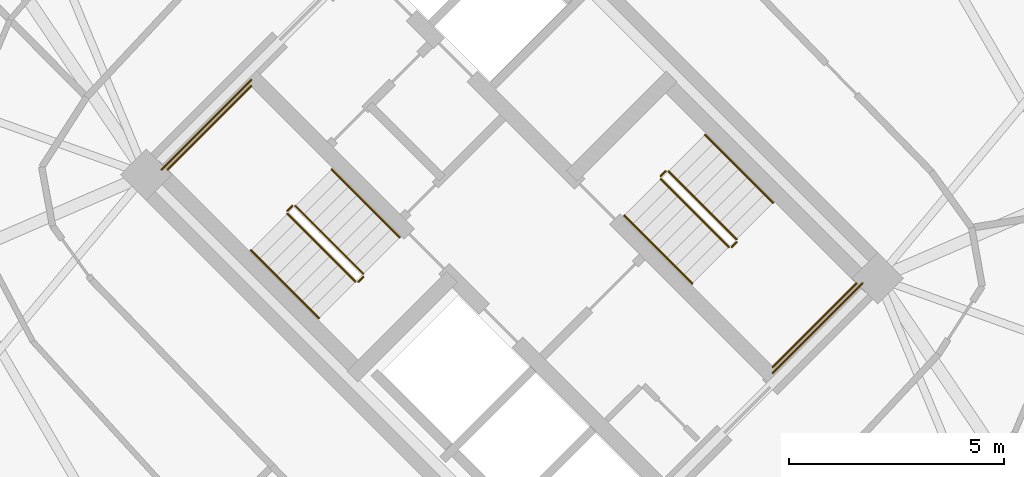
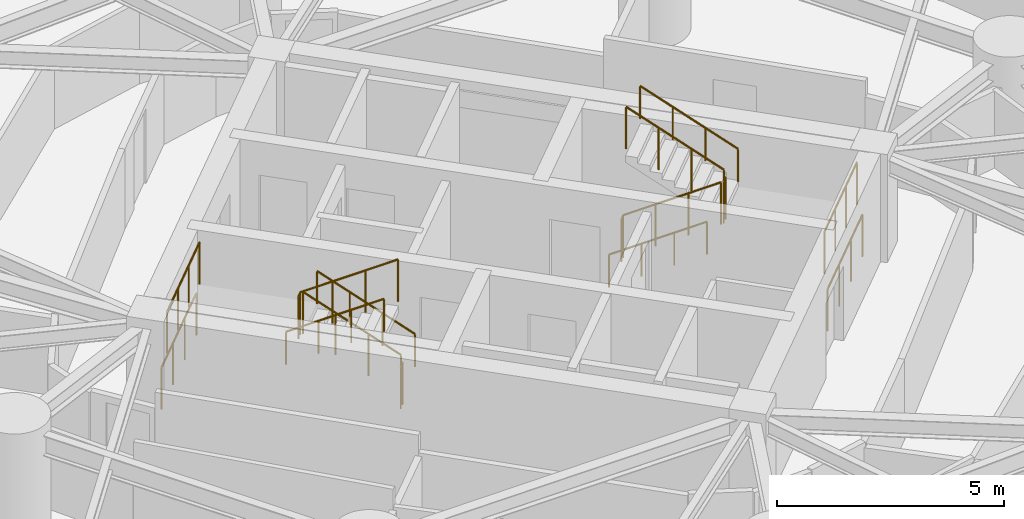
# One storey, part 16 of 17: 16 railings.
"""IFC4 building model written with IfcOpenShell, lengths in metres."""

import ifcopenshell
import ifcopenshell.guid

model = None  # the IFC model being written
_history = None  # IfcOwnerHistory: only IFC2X3 demands one
_inside = {}  # id of a spatial element -> (the spatial element, [elements in it])
_under = {}  # id of a project, library or spatial element -> (it, [spatial elements below it])
_declared = {}  # id of a project -> (the project, [libraries it declares])
_typed = {}  # id of a type object -> (the type object, [elements of that type])
_made_of = {}  # id of a material, layer set ... -> (it, [elements and type objects made of it])


def new_model(schema):
    """Start an empty IFC model of exactly this schema.

    Asked for "IFC4X3", IfcOpenShell would pick the latest addendum, in which some entities
    have other attributes; the version numbers below select the first issue.
    IFC2X3 requires an IfcOwnerHistory on every rooted entity: one is made here for all.
    """
    global model, _history
    if schema == "IFC4X3":
        model = ifcopenshell.file(schema_version=(4, 3, 0, 0))
    else:
        model = ifcopenshell.file(schema=schema)
    _inside.clear()
    _under.clear()
    _declared.clear()
    _typed.clear()
    _made_of.clear()
    _history = None
    if model.schema == "IFC2X3":
        org = make("IfcOrganization", Name="unknown")
        user = make(
            "IfcPersonAndOrganization",
            ThePerson=make("IfcPerson", FamilyName="unknown"),
            TheOrganization=org,
        )
        app = make(
            "IfcApplication",
            ApplicationDeveloper=org,
            Version="unknown",
            ApplicationFullName="unknown",
            ApplicationIdentifier="unknown",
        )
        _history = make(
            "IfcOwnerHistory",
            OwningUser=user,
            OwningApplication=app,
            ChangeAction="ADDED",
            CreationDate=0,
        )
    return model


def make(cls, **values):
    """One entity of the class cls with the attributes given. An attribute that is None is left unset."""
    return model.create_entity(
        cls, **{name: value for name, value in values.items() if value is not None}
    )


def rooted(cls, **values):
    """An entity with a GlobalId (a new one), such as an element, a storey or a relation."""
    return make(cls, GlobalId=ifcopenshell.guid.new(), OwnerHistory=_history, **values)


def si_unit(unit_type, name, prefix=None):
    """IfcSIUnit, for example si_unit("LENGTHUNIT", "METRE", prefix="MILLI")."""
    return make("IfcSIUnit", UnitType=unit_type, Prefix=prefix, Name=name)


def assignment(units):
    """IfcUnitAssignment: the units of a project."""
    return None if units is None else make("IfcUnitAssignment", Units=units)


def point(xyz):
    """IfcCartesianPoint."""
    return None if xyz is None else make("IfcCartesianPoint", Coordinates=xyz)


def direction(xyz):
    """IfcDirection."""
    return None if xyz is None else make("IfcDirection", DirectionRatios=xyz)


def frame(location, z_axis=None, x_axis=None):
    """IfcAxis2Placement3D, a coordinate frame: its origin and axes. An axis left out is left unset."""
    return make(
        "IfcAxis2Placement3D",
        Location=point(location),
        Axis=direction(z_axis),
        RefDirection=direction(x_axis),
    )


def frame_2d(location, x_axis=None):
    """IfcAxis2Placement2D, a coordinate frame in the plane: its origin and x axis."""
    return make(
        "IfcAxis2Placement2D", Location=point(location), RefDirection=direction(x_axis)
    )


def origin():
    """The frame at (0, 0, 0) with its axes left unset."""
    return frame((0.0, 0.0, 0.0))


def origin_2d():
    """The frame at (0, 0) in the plane with its x axis left unset."""
    return frame_2d((0.0, 0.0))


def place(relative_to, where):
    """IfcLocalPlacement: puts the frame where relative to a parent placement (None: the world)."""
    return make(
        "IfcLocalPlacement", PlacementRelTo=relative_to, RelativePlacement=where
    )


def context(
    kind, dimensions, precision=None, world=None, true_north=None, identifier=None
):
    """IfcGeometricRepresentationContext, for example the 3D "Model" context."""
    return make(
        "IfcGeometricRepresentationContext",
        ContextIdentifier=identifier,
        ContextType=kind,
        CoordinateSpaceDimension=dimensions,
        Precision=precision,
        WorldCoordinateSystem=world,
        TrueNorth=true_north,
    )


def subcontext(parent, identifier, kind, view, scale=None):
    """IfcGeometricRepresentationSubContext, for example "Body" below "Model"."""
    return make(
        "IfcGeometricRepresentationSubContext",
        ContextIdentifier=identifier,
        ContextType=kind,
        ParentContext=parent,
        TargetScale=scale,
        TargetView=view,
    )


def project(units=None, contexts=None):
    """IfcProject with its units and contexts."""
    return rooted(
        "IfcProject",
        Name="project",
        RepresentationContexts=contexts,
        UnitsInContext=assignment(units),
    )


def spatial(cls, under=None, at=None, **own):
    """A site, building, storey or space (cls), placed at a placement, below another one or the project."""
    s = rooted(cls, ObjectPlacement=at, **own)
    if under is not None:
        _under.setdefault(under.id(), (under, []))[1].append(s)
    return s


def profile(cls, at=None, kind="AREA", **sizes):
    """A parametric profile (cls). Its sizes go by their IFC names, for example OverallWidth=200.0."""
    return make(cls, ProfileType=kind, Position=at, **sizes)


def circle(**sizes):
    """IfcCircleProfileDef."""
    return profile("IfcCircleProfileDef", **sizes)


def extrude(swept, where, along, depth):
    """IfcExtrudedAreaSolid: the profile swept, set in the frame where, extruded along a direction by depth."""
    return make(
        "IfcExtrudedAreaSolid",
        SweptArea=swept,
        Position=where,
        ExtrudedDirection=direction(along),
        Depth=depth,
    )


def shape(context_of_items, identifier, shape_type, items):
    """IfcShapeRepresentation: the items that make up one representation, for example the "Body"."""
    return make(
        "IfcShapeRepresentation",
        ContextOfItems=context_of_items,
        RepresentationIdentifier=identifier,
        RepresentationType=shape_type,
        Items=items,
    )


def material(Name=None, Category=None):
    """IfcMaterial."""
    return make("IfcMaterial", Name=Name, Category=Category)


def made_of(thing, what):
    """Note that an element or type object is made of a material, layer set ...; save() writes the relation."""
    if what is not None:
        _made_of.setdefault(what.id(), (what, []))[1].append(thing)
    return thing


def type_object(cls, material=None, **own):
    """A type object (cls), such as IfcWallType, which elements share."""
    return made_of(rooted(cls, **own), material)


def element(
    cls,
    number,
    at=None,
    inside=None,
    cuts=None,
    type_object=None,
    material=None,
    context=None,
    identifier="Body",
    shape_type=None,
    held_by="IfcProductDefinitionShape",
    body=None,
    shapes=None,
    **own,
):
    """One element of the class cls, such as IfcWall. Its Tag is "e" and its number.

    at: its placement. inside: the storey or other place that contains it. cuts: it is an
    opening in that element (IfcRelVoidsElement). A single representation is given by context,
    identifier, shape_type and body (its items); several are given by shapes. held_by: the class
    of the entity that holds the representations. save() writes the other relations.
    """
    e = rooted(cls, Tag="e%d" % number, ObjectPlacement=at, **own)
    if body is not None:
        shapes = [shape(context, identifier, shape_type, body)]
    if shapes is not None:
        e.Representation = make(held_by, Representations=shapes)
    if inside is not None:
        _inside.setdefault(inside.id(), (inside, []))[1].append(e)
    if cuts is not None:
        rooted(
            "IfcRelVoidsElement", RelatingBuildingElement=cuts, RelatedOpeningElement=e
        )
    if type_object is not None:
        _typed.setdefault(type_object.id(), (type_object, []))[1].append(e)
    return made_of(e, material)


def aggregate(whole, parts):
    """IfcRelAggregates: a whole, such as a stair, and the parts it consists of."""
    return rooted("IfcRelAggregates", RelatingObject=whole, RelatedObjects=parts)


def save(model, path):
    """Write the relations noted so far, then the file.

    IfcRelAggregates (storeys below a building ...), IfcRelContainedInSpatialStructure (elements
    in a storey), IfcRelDefinesByType, IfcRelAssociatesMaterial and IfcRelDeclares: one each for
    every whole, place, type object, material and project.
    """
    for whole, parts in _under.values():
        aggregate(whole, parts)
    for where, things in _inside.values():
        rooted(
            "IfcRelContainedInSpatialStructure",
            RelatedElements=things,
            RelatingStructure=where,
        )
    for kind, things in _typed.values():
        rooted("IfcRelDefinesByType", RelatedObjects=things, RelatingType=kind)
    for what, things in _made_of.values():
        rooted("IfcRelAssociatesMaterial", RelatedObjects=things, RelatingMaterial=what)
    for by, libraries in _declared.values():
        rooted("IfcRelDeclares", RelatingContext=by, RelatedDefinitions=libraries)
    model.write(path)


model = new_model("IFC4")

# Units and contexts
model_context = context("Model", 3, precision=1e-05, world=origin(), true_north=direction((0.0, 1.0)))
body_context = subcontext(model_context, "Body", "Model", "MODEL_VIEW")
ifc_project = project(units=[si_unit("LENGTHUNIT", "METRE"), si_unit("AREAUNIT", "SQUARE_METRE"), si_unit("VOLUMEUNIT", "CUBIC_METRE"), si_unit("PLANEANGLEUNIT", "RADIAN"), si_unit("MASSUNIT", "GRAM", prefix="KILO")], contexts=[model_context])

# Site, building, storey
site_placement = place(None, origin())
site = spatial("IfcSite", under=ifc_project, at=site_placement, CompositionType="ELEMENT")
building_placement = place(site_placement, origin())
building = spatial("IfcBuilding", under=site, at=building_placement, Name="Cununo Teusaquillo Station Towers", CompositionType="ELEMENT")
storey_placement = place(building_placement, frame((0.0, 0.0, 59.830078125)))
storey = spatial("IfcBuildingStorey", under=building, at=storey_placement, Name="L18", CompositionType="ELEMENT", Elevation=59.830078125)

# Railings
ifc_material_1 = material(Name="Steel EN 10025-2 S355J2", Category="steel")
railing_type_1 = type_object("IfcRailingType", Name="RL-INT-GUARD", PredefinedType="GUARDRAIL", material=ifc_material_1)
railing_1_placement = place(storey_placement, frame((54.03515625, 23.39697265625, 0.16162109375)))
element("IfcRailing", 1, at=railing_1_placement, inside=storey, type_object=railing_type_1, Name="L18 ST-T2-1 stair guard 1", PredefinedType="GUARDRAIL", context=body_context, shape_type="SweptSolid", body=[
    extrude(circle(Radius=0.02392578125, at=origin_2d()), frame((0.0, 0.0, 1.1259765625), z_axis=(-0.612361259024, 0.612361259024, 0.500027376144), x_axis=(-0.707106781187, -0.707106781187, 0.0)), (0.0, 0.0, 1.0), 2.586181640625),
    extrude(circle(Radius=0.02099609375, at=origin_2d()), origin(), (0.0, 0.0, 1.0), 1.101806640625),
    extrude(circle(Radius=0.02099609375, at=origin_2d()), frame((-0.52783203125, 0.52783203125, 0.43115234375)), (0.0, 0.0, 1.0), 1.101806640625),
    extrude(circle(Radius=0.02099609375, at=origin_2d()), frame((-1.055908203125, 1.055908203125, 0.862060546875)), (0.0, 0.0, 1.0), 1.101806640625),
    extrude(circle(Radius=0.02099609375, at=origin_2d()), frame((-1.583740234375, 1.583740234375, 1.293212890625)), (0.0, 0.0, 1.0), 1.101806640625),
])
railing_2_placement = place(storey_placement, frame((52.380615234375, 24.980712890625, 1.454833984375)))
element("IfcRailing", 2, at=railing_2_placement, inside=storey, type_object=railing_type_1, Name="L18 ST-T2-1 stair guard 2", PredefinedType="GUARDRAIL", context=body_context, shape_type="SweptSolid", body=[
    extrude(circle(Radius=0.02392578125, at=origin_2d()), frame((0.0, 0.0, 1.1259765625), z_axis=(-0.7078691598, -0.706343579714, 0.0), x_axis=(0.706343579714, -0.7078691598, 0.0)), (0.0, 0.0, 1.0), 0.159912109375),
    extrude(circle(Radius=0.02099609375, at=origin_2d()), origin(), (0.0, 0.0, 1.0), 1.101806640625),
    extrude(circle(Radius=0.02099609375, at=origin_2d()), frame((-0.11328125, -0.113037109375, 0.0)), (0.0, 0.0, 1.0), 1.101806640625),
])
railing_3_placement = place(storey_placement, frame((51.426025390625, 27.77392578125, 1.454833984375)))
element("IfcRailing", 3, at=railing_3_placement, inside=storey, type_object=railing_type_1, Name="L18 ST-T2-1 stair guard 3", PredefinedType="GUARDRAIL", context=body_context, shape_type="SweptSolid", body=[
    extrude(circle(Radius=0.02392578125, at=origin_2d()), frame((0.0, 0.0, 1.1259765625), z_axis=(-0.707106781187, -0.707106781187, 0.0), x_axis=(0.707106781187, -0.707106781187, 0.0)), (0.0, 0.0, 1.0), 2.760009765625),
    extrude(circle(Radius=0.02099609375, at=origin_2d()), origin(), (0.0, 0.0, 1.0), 1.101806640625),
    extrude(circle(Radius=0.02099609375, at=origin_2d()), frame((-0.650634765625, -0.650634765625, 0.0)), (0.0, 0.0, 1.0), 1.101806640625),
    extrude(circle(Radius=0.02099609375, at=origin_2d()), frame((-1.301025390625, -1.301025390625, 0.0)), (0.0, 0.0, 1.0), 1.101806640625),
    extrude(circle(Radius=0.02099609375, at=origin_2d()), frame((-1.95166015625, -1.95166015625, 0.0)), (0.0, 0.0, 1.0), 1.101806640625),
])
railing_4_placement = place(storey_placement, frame((52.267333984375, 24.796875, 1.61669921875)))
element("IfcRailing", 4, at=railing_4_placement, inside=storey, type_object=railing_type_1, Name="L18 ST-T2-1 stair guard 4", PredefinedType="GUARDRAIL", context=body_context, shape_type="SweptSolid", body=[
    extrude(circle(Radius=0.02392578125, at=origin_2d()), frame((0.0, 0.0, 1.1259765625), z_axis=(0.612420254088, -0.612325861324, 0.499998471934), x_axis=(0.707052281454, 0.707161276719, 0.0)), (0.0, 0.0, 1.0), 2.58642578125),
    extrude(circle(Radius=0.02099609375, at=origin_2d()), origin(), (0.0, 0.0, 1.0), 1.101806640625),
    extrude(circle(Radius=0.02099609375, at=origin_2d()), frame((0.528076171875, -0.52783203125, 0.43115234375)), (0.0, 0.0, 1.0), 1.101806640625),
    extrude(circle(Radius=0.02099609375, at=origin_2d()), frame((1.055908203125, -1.055908203125, 0.862060546875)), (0.0, 0.0, 1.0), 1.101806640625),
    extrude(circle(Radius=0.02099609375, at=origin_2d()), frame((1.583984375, -1.583740234375, 1.293212890625)), (0.0, 0.0, 1.0), 1.101806640625),
])
railing_5_placement = place(storey_placement, frame((54.03515625, 23.326171875, 0.0)))
element("IfcRailing", 5, at=railing_5_placement, inside=storey, type_object=railing_type_1, Name="L18 ST-T2-1 stair guard 5", PredefinedType="GUARDRAIL", context=body_context, shape_type="SweptSolid", body=[
    extrude(circle(Radius=0.02392578125, at=origin_2d()), frame((0.0, 0.0, 1.1259765625), z_axis=(-0.707106781187, -0.707106781187, 0.0), x_axis=(0.707106781187, -0.707106781187, 0.0)), (0.0, 0.0, 1.0), 0.159912109375),
    extrude(circle(Radius=0.02099609375, at=origin_2d()), origin(), (0.0, 0.0, 1.0), 1.101806640625),
    extrude(circle(Radius=0.02099609375, at=origin_2d()), frame((-0.113037109375, -0.113037109375, 0.0)), (0.0, 0.0, 1.0), 1.101806640625),
])
railing_6_placement = place(storey_placement, frame((51.426025390625, 27.915283203125, 0.0)))
element("IfcRailing", 6, at=railing_6_placement, inside=storey, type_object=railing_type_1, Name="L18 ST-T2-1 stair guard 6", PredefinedType="GUARDRAIL", context=body_context, shape_type="SweptSolid", body=[
    extrude(circle(Radius=0.02392578125, at=origin_2d()), frame((0.0, 0.0, 1.1259765625), z_axis=(-0.707106781187, -0.707106781187, 0.0), x_axis=(0.707106781187, -0.707106781187, 0.0)), (0.0, 0.0, 1.0), 2.9599609375),
    extrude(circle(Radius=0.02099609375, at=origin_2d()), origin(), (0.0, 0.0, 1.0), 1.101806640625),
    extrude(circle(Radius=0.02099609375, at=origin_2d()), frame((-0.69775390625, -0.69775390625, 0.0)), (0.0, 0.0, 1.0), 1.101806640625),
    extrude(circle(Radius=0.02099609375, at=origin_2d()), frame((-1.395263671875, -1.395263671875, 0.0)), (0.0, 0.0, 1.0), 1.101806640625),
    extrude(circle(Radius=0.02099609375, at=origin_2d()), frame((-2.093017578125, -2.093017578125, 0.0)), (0.0, 0.0, 1.0), 1.101806640625),
])
railing_7_placement = place(storey_placement, frame((60.96484375, 25.60302734375, 0.16162109375)))
element("IfcRailing", 7, at=railing_7_placement, inside=storey, type_object=railing_type_1, Name="L18 ST-T2-2 stair guard 1", PredefinedType="GUARDRAIL", context=body_context, shape_type="SweptSolid", body=[
    extrude(circle(Radius=0.02392578125, at=origin_2d()), frame((0.0, 0.0, 1.1259765625), z_axis=(0.612361259024, -0.612361259024, 0.500027376144), x_axis=(0.707106781187, 0.707106781187, 0.0)), (0.0, 0.0, 1.0), 2.586181640625),
    extrude(circle(Radius=0.02099609375, at=origin_2d()), origin(), (0.0, 0.0, 1.0), 1.101806640625),
    extrude(circle(Radius=0.02099609375, at=origin_2d()), frame((0.52783203125, -0.52783203125, 0.43115234375)), (0.0, 0.0, 1.0), 1.101806640625),
    extrude(circle(Radius=0.02099609375, at=origin_2d()), frame((1.055908203125, -1.055908203125, 0.862060546875)), (0.0, 0.0, 1.0), 1.101806640625),
    extrude(circle(Radius=0.02099609375, at=origin_2d()), frame((1.583740234375, -1.583740234375, 1.293212890625)), (0.0, 0.0, 1.0), 1.101806640625),
])
railing_8_placement = place(storey_placement, frame((62.619384765625, 24.019287109375, 1.454833984375)))
element("IfcRailing", 8, at=railing_8_placement, inside=storey, type_object=railing_type_1, Name="L18 ST-T2-2 stair guard 2", PredefinedType="GUARDRAIL", context=body_context, shape_type="SweptSolid", body=[
    extrude(circle(Radius=0.02392578125, at=origin_2d()), frame((0.0, 0.0, 1.1259765625), z_axis=(0.7078691598, 0.706343579714, 0.0), x_axis=(-0.706343579714, 0.7078691598, 0.0)), (0.0, 0.0, 1.0), 0.159912109375),
    extrude(circle(Radius=0.02099609375, at=origin_2d()), origin(), (0.0, 0.0, 1.0), 1.101806640625),
    extrude(circle(Radius=0.02099609375, at=origin_2d()), frame((0.11328125, 0.113037109375, 0.0)), (0.0, 0.0, 1.0), 1.101806640625),
])
railing_9_placement = place(storey_placement, frame((63.573974609375, 21.22607421875, 1.454833984375)))
element("IfcRailing", 9, at=railing_9_placement, inside=storey, type_object=railing_type_1, Name="L18 ST-T2-2 stair guard 3", PredefinedType="GUARDRAIL", context=body_context, shape_type="SweptSolid", body=[
    extrude(circle(Radius=0.02392578125, at=origin_2d()), frame((0.0, 0.0, 1.1259765625), z_axis=(0.707106781187, 0.707106781187, 0.0), x_axis=(-0.707106781187, 0.707106781187, 0.0)), (0.0, 0.0, 1.0), 2.760009765625),
    extrude(circle(Radius=0.02099609375, at=origin_2d()), origin(), (0.0, 0.0, 1.0), 1.101806640625),
    extrude(circle(Radius=0.02099609375, at=origin_2d()), frame((0.650634765625, 0.650634765625, 0.0)), (0.0, 0.0, 1.0), 1.101806640625),
    extrude(circle(Radius=0.02099609375, at=origin_2d()), frame((1.301025390625, 1.301025390625, 0.0)), (0.0, 0.0, 1.0), 1.101806640625),
    extrude(circle(Radius=0.02099609375, at=origin_2d()), frame((1.95166015625, 1.95166015625, 0.0)), (0.0, 0.0, 1.0), 1.101806640625),
])
railing_10_placement = place(storey_placement, frame((62.732666015625, 24.203125, 1.61669921875)))
element("IfcRailing", 10, at=railing_10_placement, inside=storey, type_object=railing_type_1, Name="L18 ST-T2-2 stair guard 4", PredefinedType="GUARDRAIL", context=body_context, shape_type="SweptSolid", body=[
    extrude(circle(Radius=0.02392578125, at=origin_2d()), frame((0.0, 0.0, 1.1259765625), z_axis=(-0.612420254088, 0.612325861324, 0.499998471934), x_axis=(-0.707052281454, -0.707161276719, 0.0)), (0.0, 0.0, 1.0), 2.58642578125),
    extrude(circle(Radius=0.02099609375, at=origin_2d()), origin(), (0.0, 0.0, 1.0), 1.101806640625),
    extrude(circle(Radius=0.02099609375, at=origin_2d()), frame((-0.528076171875, 0.52783203125, 0.43115234375)), (0.0, 0.0, 1.0), 1.101806640625),
    extrude(circle(Radius=0.02099609375, at=origin_2d()), frame((-1.055908203125, 1.055908203125, 0.862060546875)), (0.0, 0.0, 1.0), 1.101806640625),
    extrude(circle(Radius=0.02099609375, at=origin_2d()), frame((-1.583984375, 1.583740234375, 1.293212890625)), (0.0, 0.0, 1.0), 1.101806640625),
])
railing_11_placement = place(storey_placement, frame((60.96484375, 25.673828125, 0.0)))
element("IfcRailing", 11, at=railing_11_placement, inside=storey, type_object=railing_type_1, Name="L18 ST-T2-2 stair guard 5", PredefinedType="GUARDRAIL", context=body_context, shape_type="SweptSolid", body=[
    extrude(circle(Radius=0.02392578125, at=origin_2d()), frame((0.0, 0.0, 1.1259765625), z_axis=(0.707106781187, 0.707106781187, 0.0), x_axis=(-0.707106781187, 0.707106781187, 0.0)), (0.0, 0.0, 1.0), 0.159912109375),
    extrude(circle(Radius=0.02099609375, at=origin_2d()), origin(), (0.0, 0.0, 1.0), 1.101806640625),
    extrude(circle(Radius=0.02099609375, at=origin_2d()), frame((0.113037109375, 0.113037109375, 0.0)), (0.0, 0.0, 1.0), 1.101806640625),
])
railing_12_placement = place(storey_placement, frame((63.573974609375, 21.084716796875, 0.0)))
element("IfcRailing", 12, at=railing_12_placement, inside=storey, type_object=railing_type_1, Name="L18 ST-T2-2 stair guard 6", PredefinedType="GUARDRAIL", context=body_context, shape_type="SweptSolid", body=[
    extrude(circle(Radius=0.02392578125, at=origin_2d()), frame((0.0, 0.0, 1.1259765625), z_axis=(0.707106781187, 0.707106781187, 0.0), x_axis=(-0.707106781187, 0.707106781187, 0.0)), (0.0, 0.0, 1.0), 2.9599609375),
    extrude(circle(Radius=0.02099609375, at=origin_2d()), origin(), (0.0, 0.0, 1.0), 1.101806640625),
    extrude(circle(Radius=0.02099609375, at=origin_2d()), frame((0.69775390625, 0.69775390625, 0.0)), (0.0, 0.0, 1.0), 1.101806640625),
    extrude(circle(Radius=0.02099609375, at=origin_2d()), frame((1.395263671875, 1.395263671875, 0.0)), (0.0, 0.0, 1.0), 1.101806640625),
    extrude(circle(Radius=0.02099609375, at=origin_2d()), frame((2.093017578125, 2.093017578125, 0.0)), (0.0, 0.0, 1.0), 1.101806640625),
])
ifc_material_2 = material(Name="Steel EN 10025-2 S355J2", Category="steel")
railing_type_2 = type_object("IfcRailingType", Name="RL-INT-HRAIL", PredefinedType="HANDRAIL", material=ifc_material_2)
railing_13_placement = place(storey_placement, frame((54.8837890625, 24.245361328125, 0.16162109375)))
element("IfcRailing", 13, at=railing_13_placement, inside=storey, type_object=railing_type_2, Name="L18 ST-T2-1 stair handrail 1", PredefinedType="HANDRAIL", context=body_context, shape_type="SweptSolid", body=[
    extrude(circle(Radius=0.02392578125, at=origin_2d()), frame((0.0, 0.0, 0.8759765625), z_axis=(-0.612384857071, 0.612384857071, 0.499969572735), x_axis=(-0.707106781187, -0.707106781187, 0.0)), (0.0, 0.0, 1.0), 2.586669921875),
    extrude(circle(Radius=0.02099609375, at=origin_2d()), origin(), (0.0, 0.0, 1.0), 0.851806640625),
    extrude(circle(Radius=0.02099609375, at=origin_2d()), frame((-0.528076171875, 0.528076171875, 0.43115234375)), (0.0, 0.0, 1.0), 0.851806640625),
    extrude(circle(Radius=0.02099609375, at=origin_2d()), frame((-1.055908203125, 1.055908203125, 0.862060546875)), (0.0, 0.0, 1.0), 0.851806640625),
    extrude(circle(Radius=0.02099609375, at=origin_2d()), frame((-1.583984375, 1.583984375, 1.293212890625)), (0.0, 0.0, 1.0), 0.851806640625),
])
for number, where, name in (
    (14, (51.4189453125, 23.948486328125, 1.61669921875), "L18 ST-T2-1 stair handrail 2"),
    (15, (60.1162109375, 24.754638671875, 0.16162109375), "L18 ST-T2-2 stair handrail 1"),
):
    element("IfcRailing", number, at=place(storey_placement, frame(where)), inside=storey, type_object=railing_type_2, Name=name, PredefinedType="HANDRAIL", context=body_context, shape_type="SweptSolid", body=[
        extrude(circle(Radius=0.02392578125, at=origin_2d()), frame((0.0, 0.0, 0.8759765625), z_axis=(0.612384857071, -0.612384857071, 0.499969572735), x_axis=(0.707106781187, 0.707106781187, 0.0)), (0.0, 0.0, 1.0), 2.586669921875),
        extrude(circle(Radius=0.02099609375, at=origin_2d()), origin(), (0.0, 0.0, 1.0), 0.851806640625),
        extrude(circle(Radius=0.02099609375, at=origin_2d()), frame((0.528076171875, -0.528076171875, 0.43115234375)), (0.0, 0.0, 1.0), 0.851806640625),
        extrude(circle(Radius=0.02099609375, at=origin_2d()), frame((1.055908203125, -1.055908203125, 0.862060546875)), (0.0, 0.0, 1.0), 0.851806640625),
        extrude(circle(Radius=0.02099609375, at=origin_2d()), frame((1.583984375, -1.583984375, 1.293212890625)), (0.0, 0.0, 1.0), 0.851806640625),
    ])
railing_14_placement = place(storey_placement, frame((63.5810546875, 25.051513671875, 1.61669921875)))
element("IfcRailing", 16, at=railing_14_placement, inside=storey, type_object=railing_type_2, Name="L18 ST-T2-2 stair handrail 2", PredefinedType="HANDRAIL", context=body_context, shape_type="SweptSolid", body=[
    extrude(circle(Radius=0.02392578125, at=origin_2d()), frame((0.0, 0.0, 0.8759765625), z_axis=(-0.612384857071, 0.612384857071, 0.499969572735), x_axis=(-0.707106781187, -0.707106781187, 0.0)), (0.0, 0.0, 1.0), 2.586669921875),
    extrude(circle(Radius=0.02099609375, at=origin_2d()), origin(), (0.0, 0.0, 1.0), 0.851806640625),
    extrude(circle(Radius=0.02099609375, at=origin_2d()), frame((-0.528076171875, 0.528076171875, 0.43115234375)), (0.0, 0.0, 1.0), 0.851806640625),
    extrude(circle(Radius=0.02099609375, at=origin_2d()), frame((-1.055908203125, 1.055908203125, 0.862060546875)), (0.0, 0.0, 1.0), 0.851806640625),
    extrude(circle(Radius=0.02099609375, at=origin_2d()), frame((-1.583984375, 1.583984375, 1.293212890625)), (0.0, 0.0, 1.0), 0.851806640625),
])

save(model, "model.ifc")
